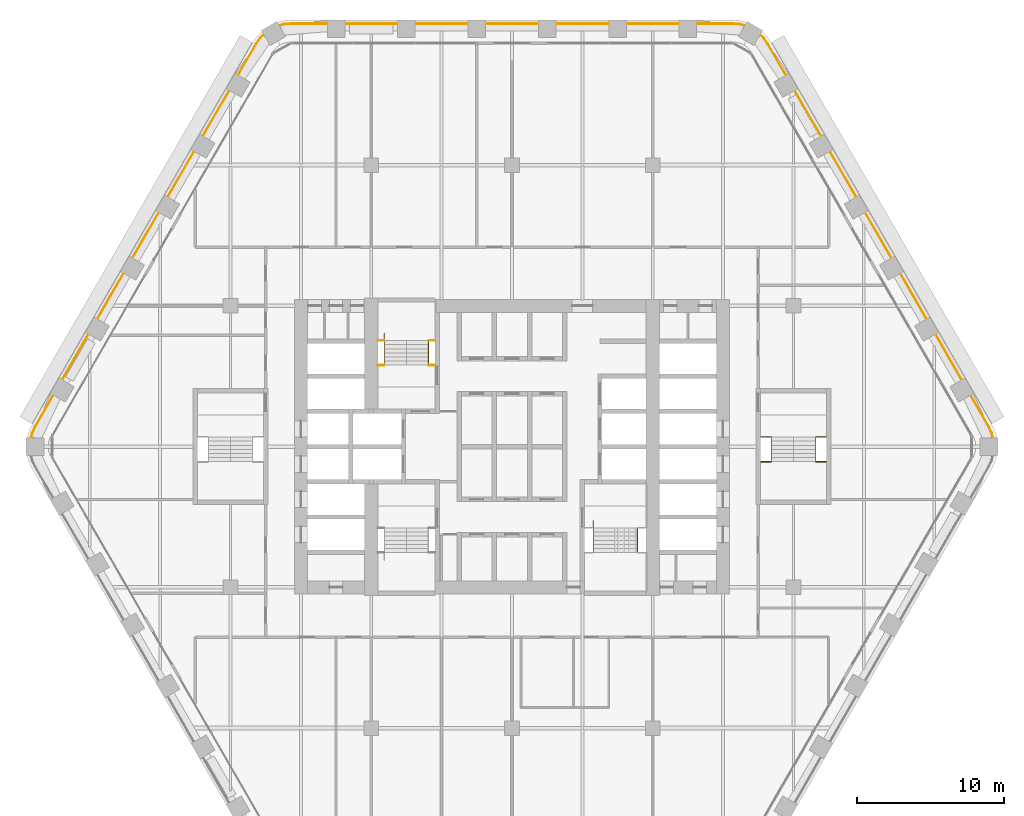
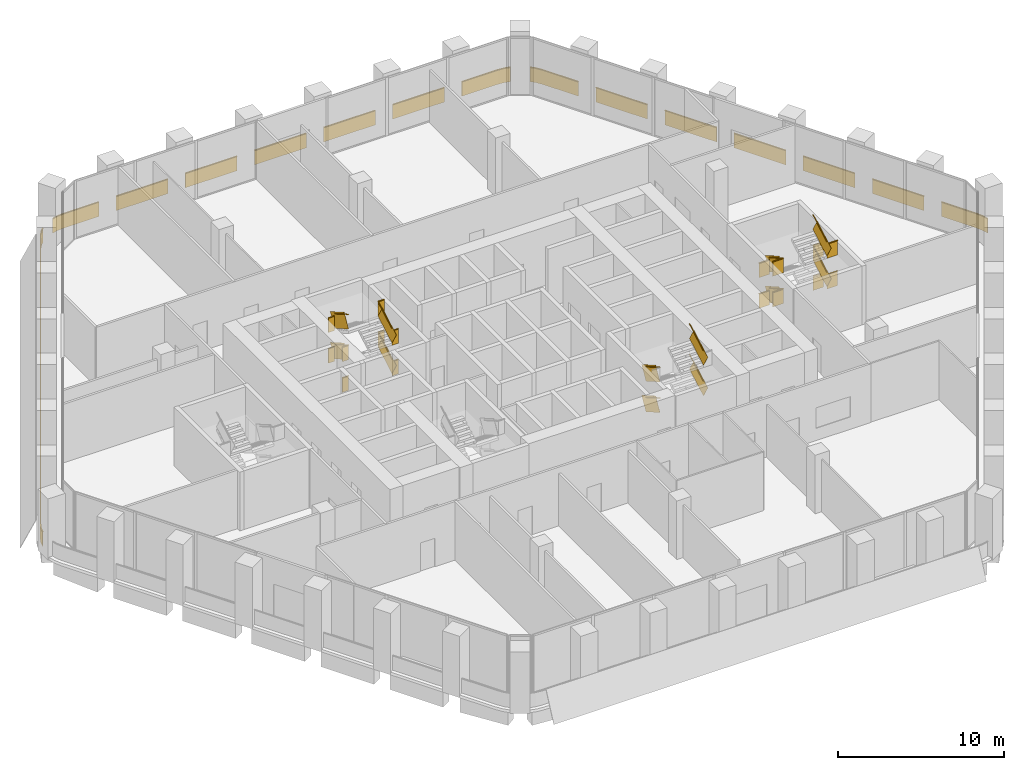
# One storey, part 22 of 22: 8 railings.
"""IFC4 building model written with IfcOpenShell, lengths in metres."""

from ifc_helpers import new_model, si_unit, direction, frame, frame_2d, origin, origin_2d, place, context, subcontext, project, spatial, rectangle, extrude, material, type_object, element, save


model = new_model("IFC4")

# Units and contexts
model_context = context("Model", 3, precision=1e-05, world=origin(), true_north=direction((0.0, 1.0)))
body_context = subcontext(model_context, "Body", "Model", "MODEL_VIEW")
ifc_project = project(units=[si_unit("LENGTHUNIT", "METRE"), si_unit("AREAUNIT", "SQUARE_METRE"), si_unit("VOLUMEUNIT", "CUBIC_METRE"), si_unit("PLANEANGLEUNIT", "RADIAN"), si_unit("MASSUNIT", "GRAM", prefix="KILO")], contexts=[model_context])

# Site, building, storey
site_placement = place(None, origin())
site = spatial("IfcSite", under=ifc_project, at=site_placement, CompositionType="ELEMENT")
building_placement = place(site_placement, origin())
building = spatial("IfcBuilding", under=site, at=building_placement, Name="Kolab Exchange Tower", CompositionType="ELEMENT")
storey_placement = place(building_placement, frame((0.0, 0.0, 82.39990234375)))
storey = spatial("IfcBuildingStorey", under=building, at=storey_placement, Name="L15", CompositionType="ELEMENT", Elevation=82.39990234375)

# Railings
ifc_material_1 = material(Name="Stainless steel 316", Category="steel")
railing_type_1 = type_object("IfcRailingType", Name="GUARD 1100", PredefinedType="GUARDRAIL", material=ifc_material_1)
railing_1_placement = place(storey_placement, frame((-9.14990234375, 5.550048828125, 0.0)))
element("IfcRailing", 1, at=railing_1_placement, inside=storey, type_object=railing_type_1, Name="Guard ST1", PredefinedType="GUARDRAIL", context=body_context, shape_type="SweptSolid", body=[
    extrude(rectangle(XDim=0.05, YDim=0.05, at=origin_2d()), frame((0.0, 0.0, 1.0751953125), z_axis=(1.0, 0.0, 0.0), x_axis=(0.0, 1.0, 0.0)), (0.0, 0.0, 1.0), 0.43994140625),
    extrude(rectangle(XDim=0.012, YDim=1.05009765625, at=frame_2d((0.0, 0.525146484375))), frame((0.0, 0.0, 0.0), z_axis=(1.0, 0.0, 0.0), x_axis=(0.0, 1.0, 0.0)), (0.0, 0.0, 1.0), 0.43994140625),
    extrude(rectangle(XDim=0.05, YDim=0.05, at=origin_2d()), frame((3.4599609375, 0.0, 1.0751953125), z_axis=(1.0, 0.0, 0.0), x_axis=(0.0, 1.0, 0.0)), (0.0, 0.0, 1.0), 0.43994140625),
    extrude(rectangle(XDim=0.012, YDim=1.05009765625, at=frame_2d((0.0, 0.525146484375))), frame((3.4599609375, 0.0, 0.0), z_axis=(1.0, 0.0, 0.0), x_axis=(0.0, 1.0, 0.0)), (0.0, 0.0, 1.0), 0.43994140625),
    extrude(rectangle(XDim=0.05, YDim=0.05, at=origin_2d()), frame((0.0, 1.679931640625, 2.2001953125), z_axis=(1.0, 0.0, 0.0), x_axis=(0.0, 1.0, 0.0)), (0.0, 0.0, 1.0), 0.43994140625),
    extrude(rectangle(XDim=0.012, YDim=1.05009765625, at=frame_2d((0.0, 0.525146484375))), frame((0.0, 1.679931640625, 1.125), z_axis=(1.0, 0.0, 0.0), x_axis=(0.0, 1.0, 0.0)), (0.0, 0.0, 1.0), 0.43994140625),
    extrude(rectangle(XDim=0.05, YDim=0.05, at=origin_2d()), frame((3.4599609375, 1.679931640625, 2.2001953125), z_axis=(1.0, 0.0, 0.0), x_axis=(0.0, 1.0, 0.0)), (0.0, 0.0, 1.0), 0.43994140625),
    extrude(rectangle(XDim=0.012, YDim=1.05009765625, at=frame_2d((0.0, 0.525146484375))), frame((3.4599609375, 1.679931640625, 1.125), z_axis=(1.0, 0.0, 0.0), x_axis=(0.0, 1.0, 0.0)), (0.0, 0.0, 1.0), 0.43994140625),
    extrude(rectangle(XDim=0.05, YDim=0.05, at=origin_2d()), frame((0.0, 0.0, 3.3251953125), z_axis=(1.0, 0.0, 0.0), x_axis=(0.0, 1.0, 0.0)), (0.0, 0.0, 1.0), 0.43994140625),
    extrude(rectangle(XDim=0.012, YDim=1.05009765625, at=frame_2d((0.0, 0.525146484375))), frame((0.0, 0.0, 2.25), z_axis=(1.0, 0.0, 0.0), x_axis=(0.0, 1.0, 0.0)), (0.0, 0.0, 1.0), 0.43994140625),
    extrude(rectangle(XDim=0.05, YDim=0.05, at=origin_2d()), frame((3.4599609375, 0.0, 3.3251953125), z_axis=(1.0, 0.0, 0.0), x_axis=(0.0, 1.0, 0.0)), (0.0, 0.0, 1.0), 0.43994140625),
    extrude(rectangle(XDim=0.012, YDim=1.05009765625, at=frame_2d((0.0, 0.525146484375))), frame((3.4599609375, 0.0, 2.25), z_axis=(1.0, 0.0, 0.0), x_axis=(0.0, 1.0, 0.0)), (0.0, 0.0, 1.0), 0.43994140625),
    extrude(rectangle(XDim=0.05, YDim=0.05, at=origin_2d()), frame((0.0, 1.679931640625, 4.4501953125), z_axis=(1.0, 0.0, 0.0), x_axis=(0.0, 1.0, 0.0)), (0.0, 0.0, 1.0), 0.43994140625),
    extrude(rectangle(XDim=0.012, YDim=1.05009765625, at=frame_2d((0.0, 0.525146484375))), frame((0.0, 1.679931640625, 3.375), z_axis=(1.0, 0.0, 0.0), x_axis=(0.0, 1.0, 0.0)), (0.0, 0.0, 1.0), 0.43994140625),
    extrude(rectangle(XDim=0.05, YDim=0.05, at=origin_2d()), frame((3.4599609375, 1.679931640625, 4.4501953125), z_axis=(1.0, 0.0, 0.0), x_axis=(0.0, 1.0, 0.0)), (0.0, 0.0, 1.0), 0.43994140625),
    extrude(rectangle(XDim=0.012, YDim=1.05009765625, at=frame_2d((0.0, 0.525146484375))), frame((3.4599609375, 1.679931640625, 3.375), z_axis=(1.0, 0.0, 0.0), x_axis=(0.0, 1.0, 0.0)), (0.0, 0.0, 1.0), 0.43994140625),
])
railing_2_placement = place(storey_placement, frame((-5.68994140625, 5.550048828125, 0.160888671875)))
element("IfcRailing", 2, at=railing_2_placement, inside=storey, type_object=railing_type_1, Name="Handrail guard ST1", PredefinedType="GUARDRAIL", context=body_context, shape_type="SweptSolid", body=[
    extrude(rectangle(XDim=0.05, YDim=0.05, at=origin_2d()), frame((0.0, 0.0, 1.0751953125), z_axis=(0.0, 0.867318599139, 0.497753400378), x_axis=(-1.0, 0.0, 0.0)), (0.0, 0.0, 1.0), 1.93701171875),
    extrude(rectangle(XDim=0.012, YDim=1.05009765625, at=frame_2d((0.0, 0.525146484375))), frame((0.0, 0.0, 0.0), z_axis=(0.0, 0.867318599139, 0.497753400378), x_axis=(-1.0, 0.0, 0.0)), (0.0, 0.0, 1.0), 1.93701171875),
    extrude(rectangle(XDim=0.05, YDim=0.05, at=origin_2d()), frame((-3.02001953125, 1.679931640625, 2.2001953125), z_axis=(0.0, -0.867318599139, 0.497753400378), x_axis=(1.0, 0.0, 0.0)), (0.0, 0.0, 1.0), 1.93701171875),
    extrude(rectangle(XDim=0.012, YDim=1.05009765625, at=frame_2d((0.0, 0.525146484375))), frame((-3.02001953125, 1.679931640625, 1.125), z_axis=(0.0, -0.867318599139, 0.497753400378), x_axis=(1.0, 0.0, 0.0)), (0.0, 0.0, 1.0), 1.93701171875),
    extrude(rectangle(XDim=0.05, YDim=0.05, at=origin_2d()), frame((0.0, 0.0, 3.3251953125), z_axis=(0.0, 0.867318599139, 0.497753400378), x_axis=(-1.0, 0.0, 0.0)), (0.0, 0.0, 1.0), 1.93701171875),
    extrude(rectangle(XDim=0.012, YDim=1.05009765625, at=frame_2d((0.0, 0.525146484375))), frame((0.0, 0.0, 2.25), z_axis=(0.0, 0.867318599139, 0.497753400378), x_axis=(-1.0, 0.0, 0.0)), (0.0, 0.0, 1.0), 1.93701171875),
    extrude(rectangle(XDim=0.05, YDim=0.05, at=origin_2d()), frame((-3.02001953125, 1.679931640625, 4.4501953125), z_axis=(0.0, -0.867318599139, 0.497753400378), x_axis=(1.0, 0.0, 0.0)), (0.0, 0.0, 1.0), 1.93701171875),
    extrude(rectangle(XDim=0.012, YDim=1.05009765625, at=frame_2d((0.0, 0.525146484375))), frame((-3.02001953125, 1.679931640625, 3.375), z_axis=(0.0, -0.867318599139, 0.497753400378), x_axis=(1.0, 0.0, 0.0)), (0.0, 0.0, 1.0), 1.93701171875),
])
railing_3_placement = place(storey_placement, frame((5.5400390625, -5.550048828125, 0.160888671875)))
element("IfcRailing", 3, at=railing_3_placement, inside=storey, type_object=railing_type_1, Name="Handrail guard ST2", PredefinedType="GUARDRAIL", context=body_context, shape_type="SweptSolid", body=[
    extrude(rectangle(XDim=0.05, YDim=0.05, at=origin_2d()), frame((0.0, 0.0, 1.0751953125), z_axis=(0.0, -0.867318599139, 0.497753400378), x_axis=(1.0, 0.0, 0.0)), (0.0, 0.0, 1.0), 1.93701171875),
    extrude(rectangle(XDim=0.012, YDim=1.05009765625, at=frame_2d((0.0, 0.525146484375))), frame((0.0, 0.0, 0.0), z_axis=(0.0, -0.867318599139, 0.497753400378), x_axis=(1.0, 0.0, 0.0)), (0.0, 0.0, 1.0), 1.93701171875),
    extrude(rectangle(XDim=0.05, YDim=0.05, at=origin_2d()), frame((3.02001953125, -1.679931640625, 2.2001953125), z_axis=(0.0, 0.867318599139, 0.497753400378), x_axis=(-1.0, 0.0, 0.0)), (0.0, 0.0, 1.0), 1.93701171875),
    extrude(rectangle(XDim=0.012, YDim=1.05009765625, at=frame_2d((0.0, 0.525146484375))), frame((3.02001953125, -1.679931640625, 1.125), z_axis=(0.0, 0.867318599139, 0.497753400378), x_axis=(-1.0, 0.0, 0.0)), (0.0, 0.0, 1.0), 1.93701171875),
    extrude(rectangle(XDim=0.05, YDim=0.05, at=origin_2d()), frame((0.0, 0.0, 3.3251953125), z_axis=(0.0, -0.867318599139, 0.497753400378), x_axis=(1.0, 0.0, 0.0)), (0.0, 0.0, 1.0), 1.93701171875),
    extrude(rectangle(XDim=0.012, YDim=1.05009765625, at=frame_2d((0.0, 0.525146484375))), frame((0.0, 0.0, 2.25), z_axis=(0.0, -0.867318599139, 0.497753400378), x_axis=(1.0, 0.0, 0.0)), (0.0, 0.0, 1.0), 1.93701171875),
    extrude(rectangle(XDim=0.05, YDim=0.05, at=origin_2d()), frame((3.02001953125, -1.679931640625, 4.4501953125), z_axis=(0.0, 0.867318599139, 0.497753400378), x_axis=(-1.0, 0.0, 0.0)), (0.0, 0.0, 1.0), 1.93701171875),
    extrude(rectangle(XDim=0.012, YDim=1.05009765625, at=frame_2d((0.0, 0.525146484375))), frame((3.02001953125, -1.679931640625, 3.375), z_axis=(0.0, 0.867318599139, 0.497753400378), x_axis=(-1.0, 0.0, 0.0)), (0.0, 0.0, 1.0), 1.93701171875),
])
railing_4_placement = place(storey_placement, frame((16.949951171875, 0.64990234375, 0.0)))
element("IfcRailing", 4, at=railing_4_placement, inside=storey, type_object=railing_type_1, Name="Guard ST4", PredefinedType="GUARDRAIL", context=body_context, shape_type="SweptSolid", body=[
    extrude(rectangle(XDim=0.05, YDim=0.05, at=origin_2d()), frame((0.0, 0.0, 1.0751953125), z_axis=(1.0, 0.0, 0.0), x_axis=(0.0, 1.0, 0.0)), (0.0, 0.0, 1.0), 0.739990234375),
    extrude(rectangle(XDim=0.012, YDim=1.05009765625, at=frame_2d((0.0, 0.525146484375))), frame((0.0, 0.0, 0.0), z_axis=(1.0, 0.0, 0.0), x_axis=(0.0, 1.0, 0.0)), (0.0, 0.0, 1.0), 0.739990234375),
    extrude(rectangle(XDim=0.05, YDim=0.05, at=origin_2d()), frame((3.760009765625, 0.0, 1.0751953125), z_axis=(1.0, 0.0, 0.0), x_axis=(0.0, 1.0, 0.0)), (0.0, 0.0, 1.0), 0.739990234375),
    extrude(rectangle(XDim=0.012, YDim=1.05009765625, at=frame_2d((0.0, 0.525146484375))), frame((3.760009765625, 0.0, 0.0), z_axis=(1.0, 0.0, 0.0), x_axis=(0.0, 1.0, 0.0)), (0.0, 0.0, 1.0), 0.739990234375),
    extrude(rectangle(XDim=0.05, YDim=0.05, at=origin_2d()), frame((0.0, -1.679931640625, 2.2001953125), z_axis=(1.0, 0.0, 0.0), x_axis=(0.0, 1.0, 0.0)), (0.0, 0.0, 1.0), 0.739990234375),
    extrude(rectangle(XDim=0.012, YDim=1.05009765625, at=frame_2d((0.0, 0.525146484375))), frame((0.0, -1.679931640625, 1.125), z_axis=(1.0, 0.0, 0.0), x_axis=(0.0, 1.0, 0.0)), (0.0, 0.0, 1.0), 0.739990234375),
    extrude(rectangle(XDim=0.05, YDim=0.05, at=origin_2d()), frame((3.760009765625, -1.679931640625, 2.2001953125), z_axis=(1.0, 0.0, 0.0), x_axis=(0.0, 1.0, 0.0)), (0.0, 0.0, 1.0), 0.739990234375),
    extrude(rectangle(XDim=0.012, YDim=1.05009765625, at=frame_2d((0.0, 0.525146484375))), frame((3.760009765625, -1.679931640625, 1.125), z_axis=(1.0, 0.0, 0.0), x_axis=(0.0, 1.0, 0.0)), (0.0, 0.0, 1.0), 0.739990234375),
    extrude(rectangle(XDim=0.05, YDim=0.05, at=origin_2d()), frame((0.0, 0.0, 3.3251953125), z_axis=(1.0, 0.0, 0.0), x_axis=(0.0, 1.0, 0.0)), (0.0, 0.0, 1.0), 0.739990234375),
    extrude(rectangle(XDim=0.012, YDim=1.05009765625, at=frame_2d((0.0, 0.525146484375))), frame((0.0, 0.0, 2.25), z_axis=(1.0, 0.0, 0.0), x_axis=(0.0, 1.0, 0.0)), (0.0, 0.0, 1.0), 0.739990234375),
    extrude(rectangle(XDim=0.05, YDim=0.05, at=origin_2d()), frame((3.760009765625, 0.0, 3.3251953125), z_axis=(1.0, 0.0, 0.0), x_axis=(0.0, 1.0, 0.0)), (0.0, 0.0, 1.0), 0.739990234375),
    extrude(rectangle(XDim=0.012, YDim=1.05009765625, at=frame_2d((0.0, 0.525146484375))), frame((3.760009765625, 0.0, 2.25), z_axis=(1.0, 0.0, 0.0), x_axis=(0.0, 1.0, 0.0)), (0.0, 0.0, 1.0), 0.739990234375),
    extrude(rectangle(XDim=0.05, YDim=0.05, at=origin_2d()), frame((0.0, -1.679931640625, 4.4501953125), z_axis=(1.0, 0.0, 0.0), x_axis=(0.0, 1.0, 0.0)), (0.0, 0.0, 1.0), 0.739990234375),
    extrude(rectangle(XDim=0.012, YDim=1.05009765625, at=frame_2d((0.0, 0.525146484375))), frame((0.0, -1.679931640625, 3.375), z_axis=(1.0, 0.0, 0.0), x_axis=(0.0, 1.0, 0.0)), (0.0, 0.0, 1.0), 0.739990234375),
    extrude(rectangle(XDim=0.05, YDim=0.05, at=origin_2d()), frame((3.760009765625, -1.679931640625, 4.4501953125), z_axis=(1.0, 0.0, 0.0), x_axis=(0.0, 1.0, 0.0)), (0.0, 0.0, 1.0), 0.739990234375),
    extrude(rectangle(XDim=0.012, YDim=1.05009765625, at=frame_2d((0.0, 0.525146484375))), frame((3.760009765625, -1.679931640625, 3.375), z_axis=(1.0, 0.0, 0.0), x_axis=(0.0, 1.0, 0.0)), (0.0, 0.0, 1.0), 0.739990234375),
])
railing_5_placement = place(storey_placement, frame((17.68994140625, 0.64990234375, 0.160888671875)))
element("IfcRailing", 5, at=railing_5_placement, inside=storey, type_object=railing_type_1, Name="Handrail guard ST4", PredefinedType="GUARDRAIL", context=body_context, shape_type="SweptSolid", body=[
    extrude(rectangle(XDim=0.05, YDim=0.05, at=origin_2d()), frame((0.0, 0.0, 1.0751953125), z_axis=(0.0, -0.867318599139, 0.497753400378), x_axis=(1.0, 0.0, 0.0)), (0.0, 0.0, 1.0), 1.93701171875),
    extrude(rectangle(XDim=0.012, YDim=1.05009765625, at=frame_2d((0.0, 0.525146484375))), frame((0.0, 0.0, 0.0), z_axis=(0.0, -0.867318599139, 0.497753400378), x_axis=(1.0, 0.0, 0.0)), (0.0, 0.0, 1.0), 1.93701171875),
    extrude(rectangle(XDim=0.05, YDim=0.05, at=origin_2d()), frame((3.02001953125, -1.679931640625, 2.2001953125), z_axis=(0.0, 0.867318599139, 0.497753400378), x_axis=(-1.0, 0.0, 0.0)), (0.0, 0.0, 1.0), 1.93701171875),
    extrude(rectangle(XDim=0.012, YDim=1.05009765625, at=frame_2d((0.0, 0.525146484375))), frame((3.02001953125, -1.679931640625, 1.125), z_axis=(0.0, 0.867318599139, 0.497753400378), x_axis=(-1.0, 0.0, 0.0)), (0.0, 0.0, 1.0), 1.93701171875),
    extrude(rectangle(XDim=0.05, YDim=0.05, at=origin_2d()), frame((0.0, 0.0, 3.3251953125), z_axis=(0.0, -0.867318599139, 0.497753400378), x_axis=(1.0, 0.0, 0.0)), (0.0, 0.0, 1.0), 1.93701171875),
    extrude(rectangle(XDim=0.012, YDim=1.05009765625, at=frame_2d((0.0, 0.525146484375))), frame((0.0, 0.0, 2.25), z_axis=(0.0, -0.867318599139, 0.497753400378), x_axis=(1.0, 0.0, 0.0)), (0.0, 0.0, 1.0), 1.93701171875),
    extrude(rectangle(XDim=0.05, YDim=0.05, at=origin_2d()), frame((3.02001953125, -1.679931640625, 4.4501953125), z_axis=(0.0, 0.867318599139, 0.497753400378), x_axis=(-1.0, 0.0, 0.0)), (0.0, 0.0, 1.0), 1.93701171875),
    extrude(rectangle(XDim=0.012, YDim=1.05009765625, at=frame_2d((0.0, 0.525146484375))), frame((3.02001953125, -1.679931640625, 3.375), z_axis=(0.0, 0.867318599139, 0.497753400378), x_axis=(-1.0, 0.0, 0.0)), (0.0, 0.0, 1.0), 1.93701171875),
])
ifc_material_2 = material(Name="Steel S235", Category="steel")
railing_type_2 = type_object("IfcRailingType", Name="GUARD 1100 GLASS BALUSTRADE AND STEEL TOP RAIL", PredefinedType="GUARDRAIL", material=ifc_material_2)
railing_6_placement = place(storey_placement, frame((15.89208984375, 28.7138671875, 0.0)))
element("IfcRailing", 6, at=railing_6_placement, inside=storey, type_object=railing_type_2, Name="Guard", PredefinedType="GUARDRAIL", context=body_context, shape_type="SweptSolid", body=[
    extrude(rectangle(XDim=0.05, YDim=0.05, at=origin_2d()), frame((0.0, 0.0, 1.0751953125), z_axis=(-0.966008746817, 0.258509382951, 0.0), x_axis=(-0.258509382951, -0.966008746817, 0.0)), (0.0, 0.0, 1.0), 0.35888671875),
    extrude(rectangle(XDim=0.012, YDim=1.05009765625, at=frame_2d((0.0, 0.525146484375))), frame((0.0, 0.0, 0.0), z_axis=(-0.966008746817, 0.258509382951, 0.0), x_axis=(-0.258509382951, -0.966008746817, 0.0)), (0.0, 0.0, 1.0), 0.35888671875),
    extrude(rectangle(XDim=0.05, YDim=0.05, at=origin_2d()), frame((-0.3466796875, 0.0927734375, 1.0751953125), z_axis=(-0.996200348447, 0.087091134757, 0.0), x_axis=(-0.087091134757, -0.996200348447, 0.0)), (0.0, 0.0, 1.0), 0.479248046875),
    extrude(rectangle(XDim=0.012, YDim=1.05009765625, at=frame_2d((0.0, 0.525146484375))), frame((-0.3466796875, 0.0927734375, 0.0), z_axis=(-0.996200348447, 0.087091134757, 0.0), x_axis=(-0.087091134757, -0.996200348447, 0.0)), (0.0, 0.0, 1.0), 0.479248046875),
    extrude(rectangle(XDim=0.05, YDim=0.05, at=origin_2d()), frame((-0.82421875, 0.134521484375, 1.0751953125), z_axis=(-1.0, 0.0, 0.0), x_axis=(0.0, -1.0, 0.0)), (0.0, 0.0, 1.0), 2.4677734375),
    extrude(rectangle(XDim=0.012, YDim=1.05009765625, at=frame_2d((0.0, 0.525146484375))), frame((-0.82421875, 0.134521484375, 0.0), z_axis=(-1.0, 0.0, 0.0), x_axis=(0.0, -1.0, 0.0)), (0.0, 0.0, 1.0), 2.4677734375),
    extrude(rectangle(XDim=0.05, YDim=0.05, at=origin_2d()), frame((-4.4921875, 0.134521484375, 1.0751953125), z_axis=(-1.0, 0.0, 0.0), x_axis=(0.0, -1.0, 0.0)), (0.0, 0.0, 1.0), 3.599853515625),
    extrude(rectangle(XDim=0.012, YDim=1.05009765625, at=frame_2d((0.0, 0.525146484375))), frame((-4.4921875, 0.134521484375, 0.0), z_axis=(-1.0, 0.0, 0.0), x_axis=(0.0, -1.0, 0.0)), (0.0, 0.0, 1.0), 3.599853515625),
    extrude(rectangle(XDim=0.05, YDim=0.05, at=origin_2d()), frame((-9.2919921875, 0.134521484375, 1.0751953125), z_axis=(-1.0, 0.0, 0.0), x_axis=(0.0, -1.0, 0.0)), (0.0, 0.0, 1.0), 3.60009765625),
    extrude(rectangle(XDim=0.012, YDim=1.05009765625, at=frame_2d((0.0, 0.525146484375))), frame((-9.2919921875, 0.134521484375, 0.0), z_axis=(-1.0, 0.0, 0.0), x_axis=(0.0, -1.0, 0.0)), (0.0, 0.0, 1.0), 3.60009765625),
    extrude(rectangle(XDim=0.05, YDim=0.05, at=origin_2d()), frame((-14.092041015625, 0.134521484375, 1.0751953125), z_axis=(-1.0, 0.0, 0.0), x_axis=(0.0, -1.0, 0.0)), (0.0, 0.0, 1.0), 3.60009765625),
    extrude(rectangle(XDim=0.012, YDim=1.05009765625, at=frame_2d((0.0, 0.525146484375))), frame((-14.092041015625, 0.134521484375, 0.0), z_axis=(-1.0, 0.0, 0.0), x_axis=(0.0, -1.0, 0.0)), (0.0, 0.0, 1.0), 3.60009765625),
    extrude(rectangle(XDim=0.05, YDim=0.05, at=origin_2d()), frame((-18.89208984375, 0.134521484375, 1.0751953125), z_axis=(-1.0, 0.0, 0.0), x_axis=(0.0, -1.0, 0.0)), (0.0, 0.0, 1.0), 3.60009765625),
    extrude(rectangle(XDim=0.012, YDim=1.05009765625, at=frame_2d((0.0, 0.525146484375))), frame((-18.89208984375, 0.134521484375, 0.0), z_axis=(-1.0, 0.0, 0.0), x_axis=(0.0, -1.0, 0.0)), (0.0, 0.0, 1.0), 3.60009765625),
    extrude(rectangle(XDim=0.05, YDim=0.05, at=origin_2d()), frame((-23.692138671875, 0.134521484375, 1.0751953125), z_axis=(-1.0, 0.0, 0.0), x_axis=(0.0, -1.0, 0.0)), (0.0, 0.0, 1.0), 3.599853515625),
    extrude(rectangle(XDim=0.012, YDim=1.05009765625, at=frame_2d((0.0, 0.525146484375))), frame((-23.692138671875, 0.134521484375, 0.0), z_axis=(-1.0, 0.0, 0.0), x_axis=(0.0, -1.0, 0.0)), (0.0, 0.0, 1.0), 3.599853515625),
    extrude(rectangle(XDim=0.05, YDim=0.05, at=origin_2d()), frame((-28.4921875, 0.134521484375, 1.0751953125), z_axis=(-1.0, 0.0, 0.0), x_axis=(0.0, -1.0, 0.0)), (0.0, 0.0, 1.0), 2.4677734375),
    extrude(rectangle(XDim=0.012, YDim=1.05009765625, at=frame_2d((0.0, 0.525146484375))), frame((-28.4921875, 0.134521484375, 0.0), z_axis=(-1.0, 0.0, 0.0), x_axis=(0.0, -1.0, 0.0)), (0.0, 0.0, 1.0), 2.4677734375),
    extrude(rectangle(XDim=0.05, YDim=0.05, at=origin_2d()), frame((-30.9599609375, 0.134521484375, 1.0751953125), z_axis=(-0.996200348447, -0.087091134757, 0.0), x_axis=(0.087091134757, -0.996200348447, 0.0)), (0.0, 0.0, 1.0), 0.479248046875),
    extrude(rectangle(XDim=0.012, YDim=1.05009765625, at=frame_2d((0.0, 0.525146484375))), frame((-30.9599609375, 0.134521484375, 0.0), z_axis=(-0.996200348447, -0.087091134757, 0.0), x_axis=(0.087091134757, -0.996200348447, 0.0)), (0.0, 0.0, 1.0), 0.479248046875),
    extrude(rectangle(XDim=0.05, YDim=0.05, at=origin_2d()), frame((-31.4375, 0.0927734375, 1.0751953125), z_axis=(-0.966008746817, -0.258509382951, 0.0), x_axis=(0.258509382951, -0.966008746817, 0.0)), (0.0, 0.0, 1.0), 0.35888671875),
    extrude(rectangle(XDim=0.012, YDim=1.05009765625, at=frame_2d((0.0, 0.525146484375))), frame((-31.4375, 0.0927734375, 0.0), z_axis=(-0.966008746817, -0.258509382951, 0.0), x_axis=(0.258509382951, -0.966008746817, 0.0)), (0.0, 0.0, 1.0), 0.35888671875),
])
railing_7_placement = place(storey_placement, frame((32.81298828125, 0.593994140625, 0.0)))
element("IfcRailing", 7, at=railing_7_placement, inside=storey, type_object=railing_type_2, Name="Guard", PredefinedType="GUARDRAIL", context=body_context, shape_type="SweptSolid", body=[
    extrude(rectangle(XDim=0.05, YDim=0.05, at=origin_2d()), frame((0.0, 0.0, 1.0751953125), z_axis=(-0.259144041577, 0.965838685141, 0.0), x_axis=(-0.965838685141, -0.259144041577, 0.0)), (0.0, 0.0, 1.0), 0.35888671875),
    extrude(rectangle(XDim=0.012, YDim=1.05009765625, at=frame_2d((0.0, 0.525146484375))), frame((0.0, 0.0, 0.0), z_axis=(-0.259144041577, 0.965838685141, 0.0), x_axis=(-0.965838685141, -0.259144041577, 0.0)), (0.0, 0.0, 1.0), 0.35888671875),
    extrude(rectangle(XDim=0.05, YDim=0.05, at=origin_2d()), frame((-0.093017578125, 0.3466796875, 1.0751953125), z_axis=(-0.422383329074, 0.906417300872, 0.0), x_axis=(-0.906417300872, -0.422383329074, 0.0)), (0.0, 0.0, 1.0), 0.479248046875),
    extrude(rectangle(XDim=0.012, YDim=1.05009765625, at=frame_2d((0.0, 0.525146484375))), frame((-0.093017578125, 0.3466796875, 0.0), z_axis=(-0.422383329074, 0.906417300872, 0.0), x_axis=(-0.906417300872, -0.422383329074, 0.0)), (0.0, 0.0, 1.0), 0.479248046875),
    extrude(rectangle(XDim=0.05, YDim=0.05, at=origin_2d()), frame((-0.29541015625, 0.781005859375, 1.0751953125), z_axis=(-0.500064973171, 0.865987888257, 0.0), x_axis=(-0.865987888257, -0.500064973171, 0.0)), (0.0, 0.0, 1.0), 2.468017578125),
    extrude(rectangle(XDim=0.012, YDim=1.05009765625, at=frame_2d((0.0, 0.525146484375))), frame((-0.29541015625, 0.781005859375, 0.0), z_axis=(-0.500064973171, 0.865987888257, 0.0), x_axis=(-0.865987888257, -0.500064973171, 0.0)), (0.0, 0.0, 1.0), 2.468017578125),
    extrude(rectangle(XDim=0.05, YDim=0.05, at=origin_2d()), frame((-2.12939453125, 3.95751953125, 1.0751953125), z_axis=(-0.500012057535, 0.866018442252, 0.0), x_axis=(-0.866018442252, -0.500012057535, 0.0)), (0.0, 0.0, 1.0), 3.60009765625),
    extrude(rectangle(XDim=0.012, YDim=1.05009765625, at=frame_2d((0.0, 0.525146484375))), frame((-2.12939453125, 3.95751953125, 0.0), z_axis=(-0.500012057535, 0.866018442252, 0.0), x_axis=(-0.866018442252, -0.500012057535, 0.0)), (0.0, 0.0, 1.0), 3.60009765625),
    extrude(rectangle(XDim=0.05, YDim=0.05, at=origin_2d()), frame((-4.529541015625, 8.114501953125, 1.0751953125), z_axis=(-0.500012057535, 0.866018442252, 0.0), x_axis=(-0.866018442252, -0.500012057535, 0.0)), (0.0, 0.0, 1.0), 3.60009765625),
    extrude(rectangle(XDim=0.012, YDim=1.05009765625, at=frame_2d((0.0, 0.525146484375))), frame((-4.529541015625, 8.114501953125, 0.0), z_axis=(-0.500012057535, 0.866018442252, 0.0), x_axis=(-0.866018442252, -0.500012057535, 0.0)), (0.0, 0.0, 1.0), 3.60009765625),
    extrude(rectangle(XDim=0.05, YDim=0.05, at=origin_2d()), frame((-6.929443359375, 12.271484375, 1.0751953125), z_axis=(-0.500012057535, 0.866018442252, 0.0), x_axis=(-0.866018442252, -0.500012057535, 0.0)), (0.0, 0.0, 1.0), 3.60009765625),
    extrude(rectangle(XDim=0.012, YDim=1.05009765625, at=frame_2d((0.0, 0.525146484375))), frame((-6.929443359375, 12.271484375, 0.0), z_axis=(-0.500012057535, 0.866018442252, 0.0), x_axis=(-0.866018442252, -0.500012057535, 0.0)), (0.0, 0.0, 1.0), 3.60009765625),
    extrude(rectangle(XDim=0.05, YDim=0.05, at=origin_2d()), frame((-9.32958984375, 16.42822265625, 1.0751953125), z_axis=(-0.499961193289, 0.866047807691, 0.0), x_axis=(-0.866047807691, -0.499961193289, 0.0)), (0.0, 0.0, 1.0), 3.599853515625),
    extrude(rectangle(XDim=0.012, YDim=1.05009765625, at=frame_2d((0.0, 0.525146484375))), frame((-9.32958984375, 16.42822265625, 0.0), z_axis=(-0.499961193289, 0.866047807691, 0.0), x_axis=(-0.866047807691, -0.499961193289, 0.0)), (0.0, 0.0, 1.0), 3.599853515625),
    extrude(rectangle(XDim=0.05, YDim=0.05, at=origin_2d()), frame((-11.7294921875, 20.585205078125, 1.0751953125), z_axis=(-0.500012057535, 0.866018442252, 0.0), x_axis=(-0.866018442252, -0.500012057535, 0.0)), (0.0, 0.0, 1.0), 3.60009765625),
    extrude(rectangle(XDim=0.012, YDim=1.05009765625, at=frame_2d((0.0, 0.525146484375))), frame((-11.7294921875, 20.585205078125, 0.0), z_axis=(-0.500012057535, 0.866018442252, 0.0), x_axis=(-0.866018442252, -0.500012057535, 0.0)), (0.0, 0.0, 1.0), 3.60009765625),
    extrude(rectangle(XDim=0.05, YDim=0.05, at=origin_2d()), frame((-14.12939453125, 24.7421875, 1.0751953125), z_axis=(-0.500064973171, 0.865987888257, 0.0), x_axis=(-0.865987888257, -0.500064973171, 0.0)), (0.0, 0.0, 1.0), 2.468017578125),
    extrude(rectangle(XDim=0.012, YDim=1.05009765625, at=frame_2d((0.0, 0.525146484375))), frame((-14.12939453125, 24.7421875, 0.0), z_axis=(-0.500064973171, 0.865987888257, 0.0), x_axis=(-0.865987888257, -0.500064973171, 0.0)), (0.0, 0.0, 1.0), 2.468017578125),
    extrude(rectangle(XDim=0.05, YDim=0.05, at=origin_2d()), frame((-15.363525390625, 26.87939453125, 1.0751953125), z_axis=(-0.573359816273, 0.819303680624, 0.0), x_axis=(-0.819303680624, -0.573359816273, 0.0)), (0.0, 0.0, 1.0), 0.4794921875),
    extrude(rectangle(XDim=0.012, YDim=1.05009765625, at=frame_2d((0.0, 0.525146484375))), frame((-15.363525390625, 26.87939453125, 0.0), z_axis=(-0.573359816273, 0.819303680624, 0.0), x_axis=(-0.819303680624, -0.573359816273, 0.0)), (0.0, 0.0, 1.0), 0.4794921875),
    extrude(rectangle(XDim=0.05, YDim=0.05, at=origin_2d()), frame((-15.638427734375, 27.272216796875, 1.0751953125), z_axis=(-0.707106781187, 0.707106781187, 0.0), x_axis=(-0.707106781187, -0.707106781187, 0.0)), (0.0, 0.0, 1.0), 0.358642578125),
    extrude(rectangle(XDim=0.012, YDim=1.05009765625, at=frame_2d((0.0, 0.525146484375))), frame((-15.638427734375, 27.272216796875, 0.0), z_axis=(-0.707106781187, 0.707106781187, 0.0), x_axis=(-0.707106781187, -0.707106781187, 0.0)), (0.0, 0.0, 1.0), 0.358642578125),
])
railing_8_placement = place(storey_placement, frame((-16.9208984375, 28.119873046875, 0.0)))
element("IfcRailing", 8, at=railing_8_placement, inside=storey, type_object=railing_type_2, Name="Guard", PredefinedType="GUARDRAIL", context=body_context, shape_type="SweptSolid", body=[
    extrude(rectangle(XDim=0.05, YDim=0.05, at=origin_2d()), frame((0.0, 0.0, 1.0751953125), z_axis=(-0.707106781187, -0.707106781187, 0.0), x_axis=(0.707106781187, -0.707106781187, 0.0)), (0.0, 0.0, 1.0), 0.358642578125),
    extrude(rectangle(XDim=0.012, YDim=1.05009765625, at=frame_2d((0.0, 0.525146484375))), frame((0.0, 0.0, 0.0), z_axis=(-0.707106781187, -0.707106781187, 0.0), x_axis=(0.707106781187, -0.707106781187, 0.0)), (0.0, 0.0, 1.0), 0.358642578125),
    extrude(rectangle(XDim=0.05, YDim=0.05, at=origin_2d()), frame((-0.253662109375, -0.253662109375, 1.0751953125), z_axis=(-0.573359816273, -0.819303680624, 0.0), x_axis=(0.819303680624, -0.573359816273, 0.0)), (0.0, 0.0, 1.0), 0.4794921875),
    extrude(rectangle(XDim=0.012, YDim=1.05009765625, at=frame_2d((0.0, 0.525146484375))), frame((-0.253662109375, -0.253662109375, 0.0), z_axis=(-0.573359816273, -0.819303680624, 0.0), x_axis=(0.819303680624, -0.573359816273, 0.0)), (0.0, 0.0, 1.0), 0.4794921875),
    extrude(rectangle(XDim=0.05, YDim=0.05, at=origin_2d()), frame((-0.528564453125, -0.646484375, 1.0751953125), z_axis=(-0.500064973171, -0.865987888257, 0.0), x_axis=(0.865987888257, -0.500064973171, 0.0)), (0.0, 0.0, 1.0), 2.468017578125),
    extrude(rectangle(XDim=0.012, YDim=1.05009765625, at=frame_2d((0.0, 0.525146484375))), frame((-0.528564453125, -0.646484375, 0.0), z_axis=(-0.500064973171, -0.865987888257, 0.0), x_axis=(0.865987888257, -0.500064973171, 0.0)), (0.0, 0.0, 1.0), 2.468017578125),
    extrude(rectangle(XDim=0.05, YDim=0.05, at=origin_2d()), frame((-2.362548828125, -3.822998046875, 1.0751953125), z_axis=(-0.500012057535, -0.866018442252, 0.0), x_axis=(0.866018442252, -0.500012057535, 0.0)), (0.0, 0.0, 1.0), 3.60009765625),
    extrude(rectangle(XDim=0.012, YDim=1.05009765625, at=frame_2d((0.0, 0.525146484375))), frame((-2.362548828125, -3.822998046875, 0.0), z_axis=(-0.500012057535, -0.866018442252, 0.0), x_axis=(0.866018442252, -0.500012057535, 0.0)), (0.0, 0.0, 1.0), 3.60009765625),
    extrude(rectangle(XDim=0.05, YDim=0.05, at=origin_2d()), frame((-4.7626953125, -7.97998046875, 1.0751953125), z_axis=(-0.499961193289, -0.866047807691, 0.0), x_axis=(0.866047807691, -0.499961193289, 0.0)), (0.0, 0.0, 1.0), 3.599853515625),
    extrude(rectangle(XDim=0.012, YDim=1.05009765625, at=frame_2d((0.0, 0.525146484375))), frame((-4.7626953125, -7.97998046875, 0.0), z_axis=(-0.499961193289, -0.866047807691, 0.0), x_axis=(0.866047807691, -0.499961193289, 0.0)), (0.0, 0.0, 1.0), 3.599853515625),
    extrude(rectangle(XDim=0.05, YDim=0.05, at=origin_2d()), frame((-7.16259765625, -12.13671875, 1.0751953125), z_axis=(-0.500012057535, -0.866018442252, 0.0), x_axis=(0.866018442252, -0.500012057535, 0.0)), (0.0, 0.0, 1.0), 3.60009765625),
    extrude(rectangle(XDim=0.012, YDim=1.05009765625, at=frame_2d((0.0, 0.525146484375))), frame((-7.16259765625, -12.13671875, 0.0), z_axis=(-0.500012057535, -0.866018442252, 0.0), x_axis=(0.866018442252, -0.500012057535, 0.0)), (0.0, 0.0, 1.0), 3.60009765625),
    extrude(rectangle(XDim=0.05, YDim=0.05, at=origin_2d()), frame((-9.5625, -16.293701171875, 1.0751953125), z_axis=(-0.500012057535, -0.866018442252, 0.0), x_axis=(0.866018442252, -0.500012057535, 0.0)), (0.0, 0.0, 1.0), 3.60009765625),
    extrude(rectangle(XDim=0.012, YDim=1.05009765625, at=frame_2d((0.0, 0.525146484375))), frame((-9.5625, -16.293701171875, 0.0), z_axis=(-0.500012057535, -0.866018442252, 0.0), x_axis=(0.866018442252, -0.500012057535, 0.0)), (0.0, 0.0, 1.0), 3.60009765625),
    extrude(rectangle(XDim=0.05, YDim=0.05, at=origin_2d()), frame((-11.962646484375, -20.45068359375, 1.0751953125), z_axis=(-0.500012057535, -0.866018442252, 0.0), x_axis=(0.866018442252, -0.500012057535, 0.0)), (0.0, 0.0, 1.0), 3.60009765625),
    extrude(rectangle(XDim=0.012, YDim=1.05009765625, at=frame_2d((0.0, 0.525146484375))), frame((-11.962646484375, -20.45068359375, 0.0), z_axis=(-0.500012057535, -0.866018442252, 0.0), x_axis=(0.866018442252, -0.500012057535, 0.0)), (0.0, 0.0, 1.0), 3.60009765625),
    extrude(rectangle(XDim=0.05, YDim=0.05, at=origin_2d()), frame((-14.362548828125, -24.607666015625, 1.0751953125), z_axis=(-0.500064973171, -0.865987888257, 0.0), x_axis=(0.865987888257, -0.500064973171, 0.0)), (0.0, 0.0, 1.0), 2.468017578125),
    extrude(rectangle(XDim=0.012, YDim=1.05009765625, at=frame_2d((0.0, 0.525146484375))), frame((-14.362548828125, -24.607666015625, 0.0), z_axis=(-0.500064973171, -0.865987888257, 0.0), x_axis=(0.865987888257, -0.500064973171, 0.0)), (0.0, 0.0, 1.0), 2.468017578125),
    extrude(rectangle(XDim=0.05, YDim=0.05, at=origin_2d()), frame((-15.5966796875, -26.744873046875, 1.0751953125), z_axis=(-0.422383329074, -0.906417300872, 0.0), x_axis=(0.906417300872, -0.422383329074, 0.0)), (0.0, 0.0, 1.0), 0.479248046875),
    extrude(rectangle(XDim=0.012, YDim=1.05009765625, at=frame_2d((0.0, 0.525146484375))), frame((-15.5966796875, -26.744873046875, 0.0), z_axis=(-0.422383329074, -0.906417300872, 0.0), x_axis=(0.906417300872, -0.422383329074, 0.0)), (0.0, 0.0, 1.0), 0.479248046875),
    extrude(rectangle(XDim=0.05, YDim=0.05, at=origin_2d()), frame((-15.799072265625, -27.17919921875, 1.0751953125), z_axis=(-0.259144041577, -0.965838685141, 0.0), x_axis=(0.965838685141, -0.259144041577, 0.0)), (0.0, 0.0, 1.0), 0.35888671875),
    extrude(rectangle(XDim=0.012, YDim=1.05009765625, at=frame_2d((0.0, 0.525146484375))), frame((-15.799072265625, -27.17919921875, 0.0), z_axis=(-0.259144041577, -0.965838685141, 0.0), x_axis=(0.965838685141, -0.259144041577, 0.0)), (0.0, 0.0, 1.0), 0.35888671875),
])

save(model, "model.ifc")
